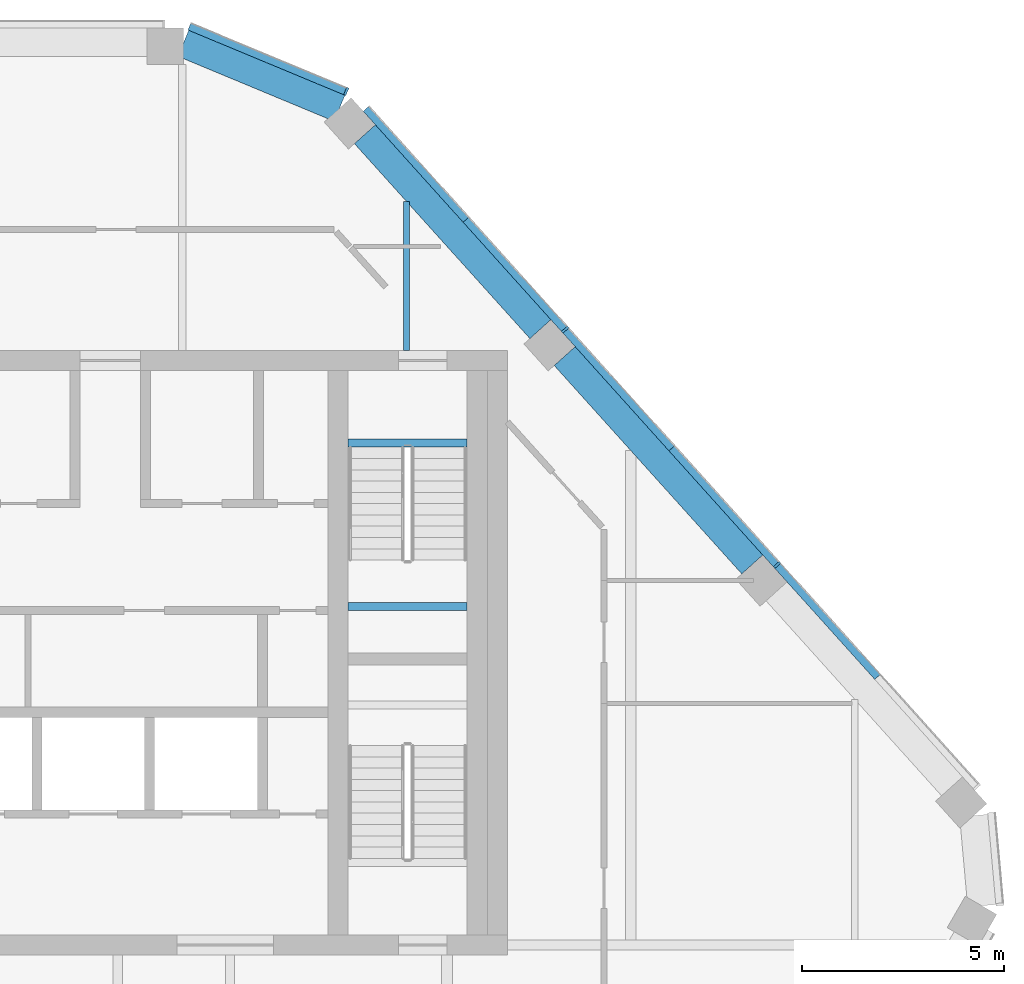
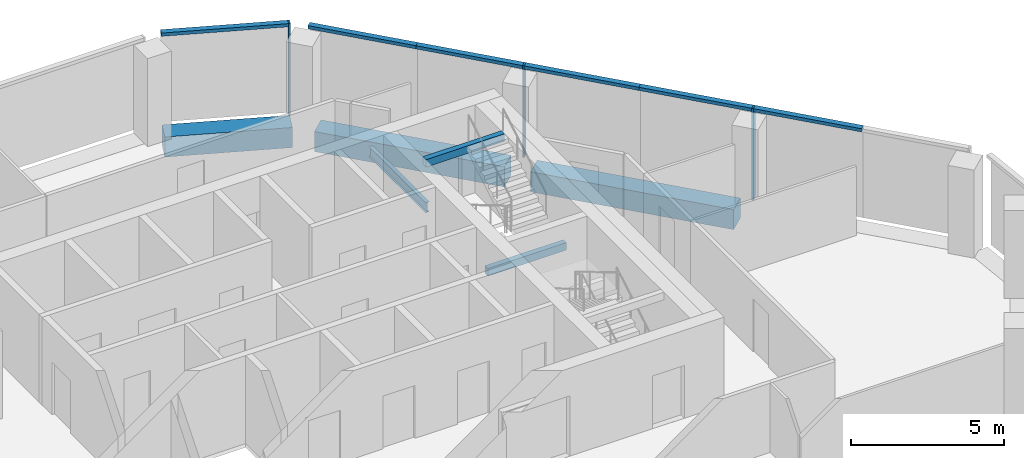
# One storey, part 6 of 15: 9 members, 6 beams, 2 elements without a shape of their own.
"""IFC4 building model written with IfcOpenShell, lengths in metres."""

from ifc_helpers import new_model, si_unit, direction, frame, origin, origin_2d, place, context, subcontext, project, spatial, rectangle, i_section, extrude, material, layer, layer_set, material_profile, profile_set, type_object, element, aggregate, save


model = new_model("IFC4")

# Units and contexts
model_context = context("Model", 3, precision=1e-05, world=origin(), true_north=direction((0.0, 1.0)))
body_context = subcontext(model_context, "Body", "Model", "MODEL_VIEW")
ifc_project = project(units=[si_unit("LENGTHUNIT", "METRE"), si_unit("AREAUNIT", "SQUARE_METRE"), si_unit("VOLUMEUNIT", "CUBIC_METRE"), si_unit("PLANEANGLEUNIT", "RADIAN"), si_unit("MASSUNIT", "GRAM", prefix="KILO")], contexts=[model_context])

# Site, building, storey
site_placement = place(None, origin())
site = spatial("IfcSite", under=ifc_project, at=site_placement, CompositionType="ELEMENT")
building_placement = place(site_placement, origin())
building = spatial("IfcBuilding", under=site, at=building_placement, Name="Isthmus Gate Tower", CompositionType="ELEMENT")
storey_placement = place(building_placement, frame((0.0, 0.0, 268.25)))
storey = spatial("IfcBuildingStorey", under=building, at=storey_placement, Name="L68", CompositionType="ELEMENT", Elevation=268.25)

# Curtain wall, members
ifc_material_1 = material(Name="Aluminium, pale champagne anodised", Category="aluminium")
ifc_layer = layer(ifc_material_1, 0.199951171875)
ifc_layer_set = layer_set([ifc_layer], Name="CW-1 UNITISED CURTAIN WALL 200 DEEP")
curtain_wall_type = type_object("IfcCurtainWallType", Name="CW-1 UNITISED CURTAIN WALL 200 DEEP", PredefinedType="NOTDEFINED", material=ifc_layer_set)
curtain_wall_1_placement = place(storey_placement, origin())
curtain_wall_1 = element("IfcCurtainWall", 1, at=curtain_wall_1_placement, inside=storey, type_object=curtain_wall_type, Name="CW-1 NE L68", PredefinedType="NOTDEFINED")
ifc_material_2 = material(Name="Aluminium, pale champagne anodised", Category="aluminium")
ifc_material_profile_1 = material_profile(ifc_material_2, rectangle(XDim=0.06005859375, YDim=0.199951171875, at=origin_2d()), Name="60x200")
ifc_profile_set_1 = profile_set([ifc_material_profile_1], Name="Aluminium, pale champagne anodised")
member_type_1 = type_object("IfcMemberType", Name="CW-1 MULLION 60 X 200", PredefinedType="MULLION", material=ifc_profile_set_1)
member_1_placement = place(storey_placement, frame((21.69140625, 9.680419921875, 0.0), z_axis=(0.0, 0.0, 1.0), x_axis=(-0.669130606359, 0.743144825477, 0.0)))
member_1 = element("IfcMember", 2, at=member_1_placement, type_object=member_type_1, Name="CW-1 mullion", PredefinedType="MULLION", context=body_context, shape_type="SweptSolid", body=[
    extrude(rectangle(XDim=0.06005859375, YDim=0.199951171875, at=origin_2d()), origin(), (0.0, 0.0, 1.0), 3.64990234375),
])
member_2_placement = place(storey_placement, frame((16.43408203125, 15.519287109375, 0.0), z_axis=(0.0, 0.0, 1.0), x_axis=(-0.669130606359, 0.743144825477, 0.0)))
member_2 = element("IfcMember", 3, at=member_2_placement, type_object=member_type_1, Name="CW-1 mullion", PredefinedType="MULLION", context=body_context, shape_type="SweptSolid", body=[
    extrude(rectangle(XDim=0.06005859375, YDim=0.199951171875, at=origin_2d()), origin(), (0.0, 0.0, 1.0), 3.64990234375),
])

# Curtain wall, member
curtain_wall_2_placement = place(storey_placement, origin())
curtain_wall_2 = element("IfcCurtainWall", 4, at=curtain_wall_2_placement, inside=storey, type_object=curtain_wall_type, Name="CW-1 NE-N L68", PredefinedType="NOTDEFINED")
member_3_placement = place(storey_placement, frame((11.001708984375, 21.427490234375, 0.0), z_axis=(0.0, 0.0, 1.0), x_axis=(-0.923353128387, 0.383951820282, 0.0)))
member_3 = element("IfcMember", 5, at=member_3_placement, type_object=member_type_1, Name="CW-1 mullion", PredefinedType="MULLION", context=body_context, shape_type="SweptSolid", body=[
    extrude(rectangle(XDim=0.06005859375, YDim=0.199951171875, at=origin_2d()), origin(), (0.0, 0.0, 1.0), 3.64990234375),
])

# Member
ifc_material_3 = material(Name="Aluminium, pale champagne anodised", Category="aluminium")
ifc_material_profile_2 = material_profile(ifc_material_3, rectangle(XDim=0.199951171875, YDim=0.1298828125, at=origin_2d()), Name="200x130")
ifc_profile_set_2 = profile_set([ifc_material_profile_2], Name="Aluminium, pale champagne anodised")
member_type_2 = type_object("IfcMemberType", Name="CW-1 TRANSOM 200 X 130", PredefinedType="USERDEFINED", material=ifc_profile_set_2)
member_4_placement = place(storey_placement, frame((24.189453125, 6.906005859375, 3.5849609375), z_axis=(-0.669121330099, 0.743153177754, 0.0), x_axis=(-0.743153177754, -0.669121330099, 0.0)))
member_4 = element("IfcMember", 6, at=member_4_placement, type_object=member_type_2, Name="CW-1 transom", ObjectType="TRANSOM", PredefinedType="USERDEFINED", context=body_context, shape_type="SweptSolid", body=[
    extrude(rectangle(XDim=0.199951171875, YDim=0.1298828125, at=origin_2d()), origin(), (0.0, 0.0, 1.0), 3.703369140625),
])

member_5_placement = place(storey_placement, frame((21.67138671875, 9.702880859375, 3.5849609375), z_axis=(-0.669156480406, 0.743121527565, 0.0), x_axis=(-0.743121527565, -0.669156480406, 0.0)))
member_5 = element("IfcMember", 7, at=member_5_placement, type_object=member_type_2, Name="CW-1 transom", ObjectType="TRANSOM", PredefinedType="USERDEFINED", context=body_context, shape_type="SweptSolid", body=[
    extrude(rectangle(XDim=0.199951171875, YDim=0.1298828125, at=origin_2d()), origin(), (0.0, 0.0, 1.0), 3.868408203125),
])

member_6_placement = place(storey_placement, frame((19.082763671875, 12.57763671875, 3.5849609375), z_axis=(-0.669095199697, 0.743176704252, 0.0), x_axis=(-0.743176704252, -0.669095199697, 0.0)))
member_6 = element("IfcMember", 8, at=member_6_placement, type_object=member_type_2, Name="CW-1 transom", ObjectType="TRANSOM", PredefinedType="USERDEFINED", context=body_context, shape_type="SweptSolid", body=[
    extrude(rectangle(XDim=0.199951171875, YDim=0.1298828125, at=origin_2d()), origin(), (0.0, 0.0, 1.0), 3.92822265625),
])

member_7_placement = place(storey_placement, frame((16.4140625, 15.54150390625, 3.5849609375), z_axis=(-0.669116497993, 0.743157528464, 0.0), x_axis=(-0.743157528464, -0.669116497993, 0.0)))
member_7 = element("IfcMember", 9, at=member_7_placement, type_object=member_type_2, Name="CW-1 transom", ObjectType="TRANSOM", PredefinedType="USERDEFINED", context=body_context, shape_type="SweptSolid", body=[
    extrude(rectangle(XDim=0.199951171875, YDim=0.1298828125, at=origin_2d()), origin(), (0.0, 0.0, 1.0), 3.6435546875),
])

member_8_placement = place(storey_placement, frame((13.97607421875, 18.249267578125, 3.5849609375), z_axis=(-0.669154112043, 0.743123660192, 0.0), x_axis=(-0.743123660192, -0.669154112043, 0.0)))
member_8 = element("IfcMember", 10, at=member_8_placement, type_object=member_type_2, Name="CW-1 transom", ObjectType="TRANSOM", PredefinedType="USERDEFINED", context=body_context, shape_type="SweptSolid", body=[
    extrude(rectangle(XDim=0.199951171875, YDim=0.1298828125, at=origin_2d()), origin(), (0.0, 0.0, 1.0), 3.703125),
])

aggregate(curtain_wall_1, [member_4, member_1, member_5, member_6, member_2, member_7, member_8])

member_9_placement = place(storey_placement, frame((10.97412109375, 21.43896484375, 3.5849609375), z_axis=(-0.923358236369, 0.383939536033, 0.0), x_axis=(-0.383939536033, -0.923358236369, 0.0)))
member_9 = element("IfcMember", 11, at=member_9_placement, type_object=member_type_2, Name="CW-1 transom", ObjectType="TRANSOM", PredefinedType="USERDEFINED", context=body_context, shape_type="SweptSolid", body=[
    extrude(rectangle(XDim=0.199951171875, YDim=0.1298828125, at=origin_2d()), origin(), (0.0, 0.0, 1.0), 4.181640625),
])

aggregate(curtain_wall_2, [member_3, member_9])

# Beams
ifc_material_4 = material(Name="Concrete f'c 50 MPa", Category="concrete")
ifc_material_profile_3 = material_profile(ifc_material_4, rectangle(XDim=0.699951171875, YDim=0.800048828125, at=origin_2d()), Name="RC 700X800")
ifc_profile_set_3 = profile_set([ifc_material_profile_3], Name="Concrete f'c 50 MPa")
beam_type_1 = type_object("IfcBeamType", Name="RC SPANDREL 700 X 800", PredefinedType="SPANDREL", material=ifc_profile_set_3)
beam_1_placement = place(storey_placement, frame((6.95947265625, 22.620849609375, -0.39990234375), z_axis=(0.923360646135, -0.383933740597, 0.0), x_axis=(0.383933740597, 0.923360646135, 0.0)))
element("IfcBeam", 12, at=beam_1_placement, inside=storey, type_object=beam_type_1, Name="str-spandrel-L68-00", PredefinedType="SPANDREL", context=body_context, shape_type="SweptSolid", body=[
    extrude(rectangle(XDim=0.699951171875, YDim=0.800048828125, at=origin_2d()), origin(), (0.0, 0.0, 1.0), 4.19677734375),
])
beam_2_placement = place(storey_placement, frame((11.46484375, 20.36572265625, -0.39990234375), z_axis=(0.669122265754, -0.743152335307, 0.0), x_axis=(0.743152335307, 0.669122265754, 0.0)))
element("IfcBeam", 13, at=beam_2_placement, inside=storey, type_object=beam_type_1, Name="str-spandrel-L68-01", PredefinedType="SPANDREL", context=body_context, shape_type="SweptSolid", body=[
    extrude(rectangle(XDim=0.699951171875, YDim=0.800048828125, at=origin_2d()), origin(), (0.0, 0.0, 1.0), 6.506591796875),
])
beam_3_placement = place(storey_placement, frame((16.4208984375, 14.861572265625, -0.39990234375), z_axis=(0.669131458307, -0.743144058379, 0.0), x_axis=(0.743144058379, 0.669131458307, 0.0)))
element("IfcBeam", 14, at=beam_3_placement, inside=storey, type_object=beam_type_1, Name="str-spandrel-L68-02", PredefinedType="SPANDREL", context=body_context, shape_type="SweptSolid", body=[
    extrude(rectangle(XDim=0.699951171875, YDim=0.800048828125, at=origin_2d()), origin(), (0.0, 0.0, 1.0), 6.956787109375),
])
ifc_material_5 = material(Name="Concrete f'c 40 MPa", Category="concrete")
ifc_material_profile_4 = material_profile(ifc_material_5, rectangle(XDim=0.199951171875, YDim=0.300048828125, at=origin_2d()), Name="STAIR LANDING BEAM RC 200 X 300")
ifc_profile_set_4 = profile_set([ifc_material_profile_4], Name="Concrete f'c 40 MPa")
beam_type_2 = type_object("IfcBeamType", Name="STAIR LANDING BEAM RC 200 X 300", PredefinedType="BEAM", material=ifc_profile_set_4)
for number, where, z_axis, x_axis, name in (
    (15, (11.050048828125, 8.64990234375, 1.47509765625), (1.0, 0.0, 0.0), (0.0, 1.0, 0.0), "L68 ST2 landing beam 1"),
    (16, (11.050048828125, 12.7001953125, 3.35009765625), (1.0, 0.0, 0.0), (0.0, 1.0, 0.0), "L68 ST2 floor-edge seat beam"),
):
    element("IfcBeam", number, at=place(storey_placement, frame(where, z_axis=z_axis, x_axis=x_axis)), inside=storey, type_object=beam_type_2, Name=name, PredefinedType="BEAM", context=body_context, shape_type="SweptSolid", body=[
        extrude(rectangle(XDim=0.199951171875, YDim=0.300048828125, at=origin_2d()), origin(), (0.0, 0.0, 1.0), 2.949951171875),
    ])
ifc_material_6 = material(Name="Structural steel ASTM A992 Gr 50", Category="steel")
ifc_material_profile_5 = material_profile(ifc_material_6, i_section(OverallWidth=0.1396484375, OverallDepth=0.4033203125, WebThickness=0.00634765625, FlangeThickness=0.010986328125, at=origin_2d()), Name="W16X31")
ifc_profile_set_5 = profile_set([ifc_material_profile_5], Name="Structural steel ASTM A992 Gr 50")
beam_type_3 = type_object("IfcBeamType", Name="STEEL FLOOR BEAM W16X31", PredefinedType="JOIST", material=ifc_profile_set_5)
beam_4_placement = place(storey_placement, frame((12.49560546875, 15.0, -0.3515625), z_axis=(0.0, 1.0, 0.0), x_axis=(-1.0, 0.0, 0.0)))
element("IfcBeam", 17, at=beam_4_placement, inside=storey, type_object=beam_type_3, Name="str-beam-L68-07-05", PredefinedType="JOIST", context=body_context, shape_type="SweptSolid", body=[
    extrude(i_section(OverallWidth=0.1396484375, OverallDepth=0.4033203125, WebThickness=0.00634765625, FlangeThickness=0.010986328125, at=origin_2d()), origin(), (0.0, 0.0, 1.0), 3.69775390625),
])

save(model, "model.ifc")
